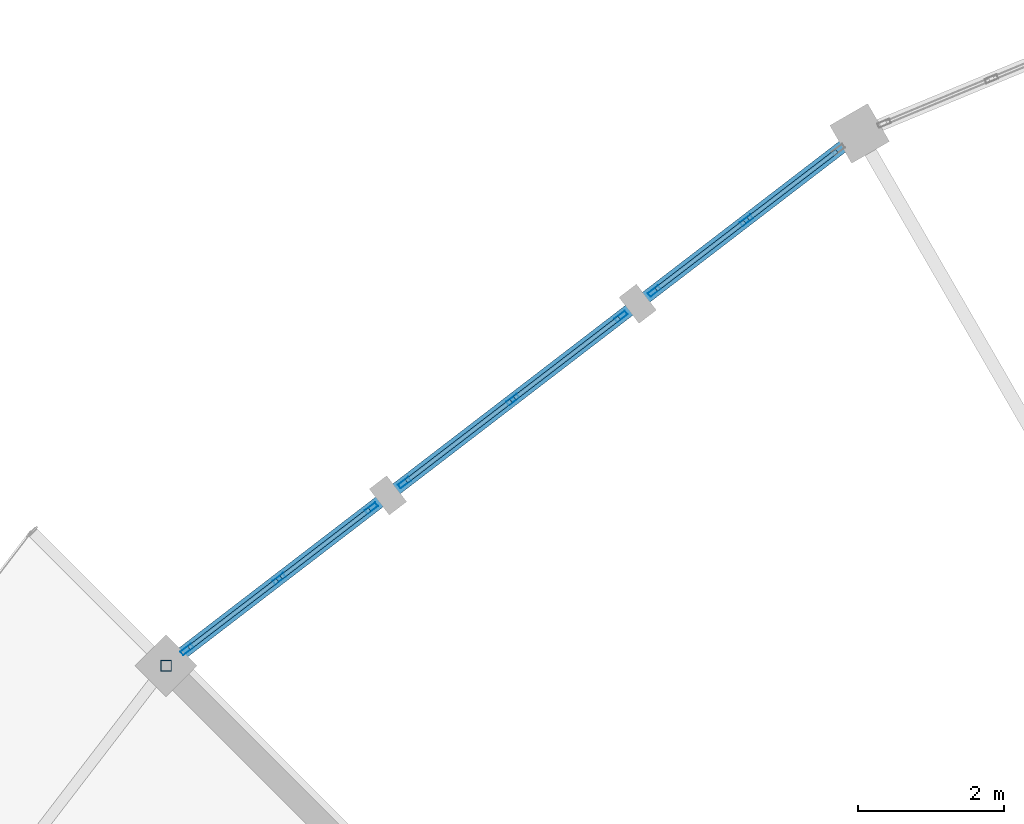
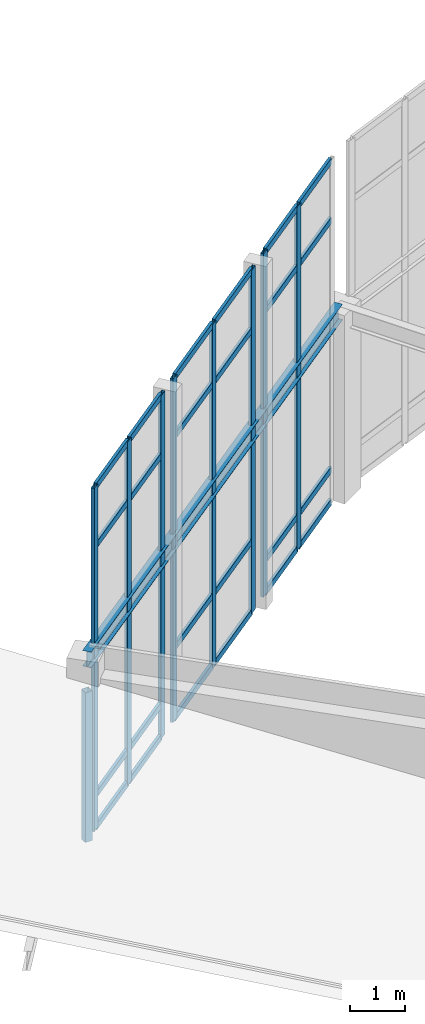
# One storey, part 43 of 93: 33 members, 1 beam, 3 elements without a shape of their own.
"""IFC4 building model written with IfcOpenShell, lengths in metres."""

from ifc_helpers import new_model, si_unit, direction, frame, origin, origin_2d, place, context, subcontext, project, spatial, hollow_rectangle, i_section, extrude, material, material_profile, profile_set, type_object, element, aggregate, save


model = new_model("IFC4")

# Units and contexts
model_context = context("Model", 3, precision=1e-05, world=origin(), true_north=direction((0.0, 1.0)))
body_context = subcontext(model_context, "Body", "Model", "MODEL_VIEW")
ifc_project = project(units=[si_unit("LENGTHUNIT", "METRE"), si_unit("AREAUNIT", "SQUARE_METRE"), si_unit("VOLUMEUNIT", "CUBIC_METRE"), si_unit("PLANEANGLEUNIT", "RADIAN"), si_unit("MASSUNIT", "GRAM", prefix="KILO")], contexts=[model_context])

# Site, building, storey
site_placement = place(None, origin())
site = spatial("IfcSite", under=ifc_project, at=site_placement, CompositionType="ELEMENT")
building_placement = place(site_placement, origin())
building = spatial("IfcBuilding", under=site, at=building_placement, Name="Vondelvale Polytechnic", CompositionType="ELEMENT")
storey_placement = place(building_placement, frame((0.0, 0.0, 18.0)))
storey = spatial("IfcBuildingStorey", under=building, at=storey_placement, Name="L04", CompositionType="ELEMENT", Elevation=18.0)

# Beam
ifc_material_1 = material(Name="Steel 300PLUS (fy = 300 MPa)", Category="steel")
ifc_material_profile_1 = material_profile(ifc_material_1, i_section(OverallWidth=0.1708984375, OverallDepth=0.35205078125, WebThickness=0.0068359375, FlangeThickness=0.009765625, FilletRadius=0.011474609375, at=origin_2d()), Name="360UB44.7")
ifc_profile_set_1 = profile_set([ifc_material_profile_1], Name="Steel 300PLUS (fy = 300 MPa)")
beam_type = type_object("IfcBeamType", Name="BM-UB360L", PredefinedType="BEAM", material=ifc_profile_set_1)
beam_placement = place(storey_placement, frame((79.0, 111.837158203125, 4.02392578125), z_axis=(-0.793349743808, -0.608766116008, 0.0), x_axis=(0.608766116008, -0.793349743808, 0.0)))
element("IfcBeam", 1, at=beam_placement, inside=storey, type_object=beam_type, Name="L04 RE B-24", PredefinedType="BEAM", context=body_context, shape_type="SweptSolid", body=[
    extrude(i_section(OverallWidth=0.1708984375, OverallDepth=0.35205078125, WebThickness=0.0068359375, FlangeThickness=0.009765625, FilletRadius=0.011474609375, at=origin_2d()), origin(), (0.0, 0.0, 1.0), 12.00830078125),
])

# Curtain wall, members
ifc_material_2 = material(Name="Glulam GL18 structural Tasmanian oak (fb = 42 MPa)", Category="wood")
curtain_wall_type = type_object("IfcCurtainWallType", Name="CW-RING-OUTER", PredefinedType="NOTDEFINED", material=ifc_material_2)
curtain_wall_1_placement = place(storey_placement, origin())
curtain_wall_1 = element("IfcCurtainWall", 2, at=curtain_wall_1_placement, inside=storey, type_object=curtain_wall_type, Name="L04 architectural curtain wall CW-04-207", PredefinedType="NOTDEFINED")
ifc_material_3 = material(Name="Anodised extruded aluminium 6063-T6", Category="aluminium")
ifc_material_profile_2 = material_profile(ifc_material_3, hollow_rectangle(XDim=0.06494140625, YDim=0.179931640625, WallThickness=0.00390625, at=origin_2d()), Name="CW-MUL-180x65")
ifc_profile_set_2 = profile_set([ifc_material_profile_2], Name="Anodised extruded aluminium 6063-T6")
member_type_1 = type_object("IfcMemberType", Name="CW-MUL-65x180", PredefinedType="MULLION", material=ifc_profile_set_2)
member_1_placement = place(storey_placement, frame((77.44482421875, 110.643798828125, 0.0), z_axis=(0.0, 0.0, 1.0), x_axis=(0.608786860133, -0.793333825656, 0.0)))
member_1 = element("IfcMember", 3, at=member_1_placement, type_object=member_type_1, Name="CW-04-207 mullion 2", PredefinedType="MULLION", context=body_context, shape_type="SweptSolid", body=[
    extrude(hollow_rectangle(XDim=0.06494140625, YDim=0.179931640625, WallThickness=0.00390625, at=origin_2d()), origin(), (0.0, 0.0, 1.0), 7.661376953125),
])
member_2_placement = place(storey_placement, frame((76.179443359375, 109.6728515625, 0.0), z_axis=(0.0, 0.0, 1.0), x_axis=(0.608786860133, -0.793333825656, 0.0)))
member_2 = element("IfcMember", 4, at=member_2_placement, type_object=member_type_1, Name="CW-04-207 mullion 3", PredefinedType="MULLION", context=body_context, shape_type="SweptSolid", body=[
    extrude(hollow_rectangle(XDim=0.06494140625, YDim=0.179931640625, WallThickness=0.00390625, at=origin_2d()), origin(), (0.0, 0.0, 1.0), 7.661376953125),
])

curtain_wall_2_placement = place(storey_placement, origin())
curtain_wall_2 = element("IfcCurtainWall", 5, at=curtain_wall_2_placement, inside=storey, type_object=curtain_wall_type, Name="L04 architectural curtain wall CW-04-208", PredefinedType="NOTDEFINED")
member_3_placement = place(storey_placement, frame((75.723388671875, 109.322998046875, 0.0), z_axis=(0.0, 0.0, 1.0), x_axis=(0.608771189063, -0.793345851043, 0.0)))
member_3 = element("IfcMember", 6, at=member_3_placement, type_object=member_type_1, Name="CW-04-208 mullion 1", PredefinedType="MULLION", context=body_context, shape_type="SweptSolid", body=[
    extrude(hollow_rectangle(XDim=0.06494140625, YDim=0.179931640625, WallThickness=0.00390625, at=origin_2d()), origin(), (0.0, 0.0, 1.0), 7.661376953125),
])
member_4_placement = place(storey_placement, frame((74.236572265625, 108.18212890625, 0.0), z_axis=(0.0, 0.0, 1.0), x_axis=(0.608771189063, -0.793345851043, 0.0)))
member_4 = element("IfcMember", 7, at=member_4_placement, type_object=member_type_1, Name="CW-04-208 mullion 2", PredefinedType="MULLION", context=body_context, shape_type="SweptSolid", body=[
    extrude(hollow_rectangle(XDim=0.06494140625, YDim=0.179931640625, WallThickness=0.00390625, at=origin_2d()), origin(), (0.0, 0.0, 1.0), 7.661376953125),
])
member_5_placement = place(storey_placement, frame((72.749755859375, 107.041259765625, 0.0), z_axis=(0.0, 0.0, 1.0), x_axis=(0.608771189063, -0.793345851043, 0.0)))
member_5 = element("IfcMember", 8, at=member_5_placement, type_object=member_type_1, Name="CW-04-208 mullion 3", PredefinedType="MULLION", context=body_context, shape_type="SweptSolid", body=[
    extrude(hollow_rectangle(XDim=0.06494140625, YDim=0.179931640625, WallThickness=0.00390625, at=origin_2d()), origin(), (0.0, 0.0, 1.0), 7.661376953125),
])

curtain_wall_3_placement = place(storey_placement, origin())
curtain_wall_3 = element("IfcCurtainWall", 9, at=curtain_wall_3_placement, inside=storey, type_object=curtain_wall_type, Name="L04 architectural curtain wall CW-04-209", PredefinedType="NOTDEFINED")
member_6_placement = place(storey_placement, frame((72.293701171875, 106.691162109375, 0.0), z_axis=(0.0, 0.0, 1.0), x_axis=(0.608786860133, -0.793333825656, 0.0)))
member_6 = element("IfcMember", 10, at=member_6_placement, type_object=member_type_1, Name="CW-04-209 mullion 1", PredefinedType="MULLION", context=body_context, shape_type="SweptSolid", body=[
    extrude(hollow_rectangle(XDim=0.06494140625, YDim=0.179931640625, WallThickness=0.00390625, at=origin_2d()), origin(), (0.0, 0.0, 1.0), 7.661376953125),
])
member_7_placement = place(storey_placement, frame((71.0283203125, 105.72021484375, 0.0), z_axis=(0.0, 0.0, 1.0), x_axis=(0.608786860133, -0.793333825656, 0.0)))
member_7 = element("IfcMember", 11, at=member_7_placement, type_object=member_type_1, Name="CW-04-209 mullion 2", PredefinedType="MULLION", context=body_context, shape_type="SweptSolid", body=[
    extrude(hollow_rectangle(XDim=0.06494140625, YDim=0.179931640625, WallThickness=0.00390625, at=origin_2d()), origin(), (0.0, 0.0, 1.0), 7.661376953125),
])
member_8_placement = place(storey_placement, frame((69.762939453125, 104.749267578125, 0.0), z_axis=(0.0, 0.0, 1.0), x_axis=(0.608786860133, -0.793333825656, 0.0)))
member_8 = element("IfcMember", 12, at=member_8_placement, type_object=member_type_1, Name="CW-04-209 mullion 3", PredefinedType="MULLION", context=body_context, shape_type="SweptSolid", body=[
    extrude(hollow_rectangle(XDim=0.06494140625, YDim=0.179931640625, WallThickness=0.00390625, at=origin_2d()), origin(), (0.0, 0.0, 1.0), 7.661376953125),
])

# Member
ifc_material_profile_3 = material_profile(ifc_material_3, hollow_rectangle(XDim=0.06005859375, YDim=0.139892578125, WallThickness=0.00341796875, at=origin_2d()), Name="CW-TRN-140x60")
ifc_profile_set_3 = profile_set([ifc_material_profile_3], Name="Anodised extruded aluminium 6063-T6")
member_type_2 = type_object("IfcMemberType", Name="CW-TRN-60x140", PredefinedType="USERDEFINED", material=ifc_profile_set_3)
member_9_placement = place(storey_placement, frame((78.684326171875, 111.59521484375, 0.030029296875), z_axis=(-0.7932286645, -0.608923875222, 0.0), x_axis=(0.608923875222, -0.7932286645, 0.0)))
member_9 = element("IfcMember", 13, at=member_9_placement, type_object=member_type_2, Name="CW-04-207 transom 1.1", ObjectType="TRANSOM", PredefinedType="USERDEFINED", context=body_context, shape_type="SweptSolid", body=[
    extrude(hollow_rectangle(XDim=0.06005859375, YDim=0.139892578125, WallThickness=0.00341796875, at=origin_2d()), origin(), (0.0, 0.0, 1.0), 1.530029296875),
])

member_10_placement = place(storey_placement, frame((78.684326171875, 111.59521484375, 0.75), z_axis=(-0.7932286645, -0.608923875222, 0.0), x_axis=(0.608923875222, -0.7932286645, 0.0)))
member_10 = element("IfcMember", 14, at=member_10_placement, type_object=member_type_2, Name="CW-04-207 transom 1.2", ObjectType="TRANSOM", PredefinedType="USERDEFINED", context=body_context, shape_type="SweptSolid", body=[
    extrude(hollow_rectangle(XDim=0.06005859375, YDim=0.139892578125, WallThickness=0.00341796875, at=origin_2d()), origin(), (0.0, 0.0, 1.0), 1.530029296875),
])

member_11_placement = place(storey_placement, frame((78.684326171875, 111.59521484375, 6.311279296875), z_axis=(-0.7932286645, -0.608923875222, 0.0), x_axis=(0.608923875222, -0.7932286645, 0.0)))
member_11 = element("IfcMember", 15, at=member_11_placement, type_object=member_type_2, Name="CW-04-207 transom 1.3", ObjectType="TRANSOM", PredefinedType="USERDEFINED", context=body_context, shape_type="SweptSolid", body=[
    extrude(hollow_rectangle(XDim=0.06005859375, YDim=0.139892578125, WallThickness=0.00341796875, at=origin_2d()), origin(), (0.0, 0.0, 1.0), 1.530029296875),
])

member_12_placement = place(storey_placement, frame((78.684326171875, 111.59521484375, 7.63134765625), z_axis=(-0.7932286645, -0.608923875222, 0.0), x_axis=(0.608923875222, -0.7932286645, 0.0)))
member_12 = element("IfcMember", 16, at=member_12_placement, type_object=member_type_2, Name="CW-04-207 transom 1.4", ObjectType="TRANSOM", PredefinedType="USERDEFINED", context=body_context, shape_type="SweptSolid", body=[
    extrude(hollow_rectangle(XDim=0.06005859375, YDim=0.139892578125, WallThickness=0.00341796875, at=origin_2d()), origin(), (0.0, 0.0, 1.0), 1.530029296875),
])

member_13_placement = place(storey_placement, frame((77.4189453125, 110.6240234375, 0.030029296875), z_axis=(-0.793305741078, -0.60882345649, 0.0), x_axis=(0.60882345649, -0.793305741078, 0.0)))
member_13 = element("IfcMember", 17, at=member_13_placement, type_object=member_type_2, Name="CW-04-207 transom 2.1", ObjectType="TRANSOM", PredefinedType="USERDEFINED", context=body_context, shape_type="SweptSolid", body=[
    extrude(hollow_rectangle(XDim=0.06005859375, YDim=0.139892578125, WallThickness=0.00341796875, at=origin_2d()), origin(), (0.0, 0.0, 1.0), 1.52978515625),
])

member_14_placement = place(storey_placement, frame((77.4189453125, 110.6240234375, 0.75), z_axis=(-0.793305741078, -0.60882345649, 0.0), x_axis=(0.60882345649, -0.793305741078, 0.0)))
member_14 = element("IfcMember", 18, at=member_14_placement, type_object=member_type_2, Name="CW-04-207 transom 2.2", ObjectType="TRANSOM", PredefinedType="USERDEFINED", context=body_context, shape_type="SweptSolid", body=[
    extrude(hollow_rectangle(XDim=0.06005859375, YDim=0.139892578125, WallThickness=0.00341796875, at=origin_2d()), origin(), (0.0, 0.0, 1.0), 1.52978515625),
])

member_15_placement = place(storey_placement, frame((77.4189453125, 110.6240234375, 6.311279296875), z_axis=(-0.793305741078, -0.60882345649, 0.0), x_axis=(0.60882345649, -0.793305741078, 0.0)))
member_15 = element("IfcMember", 19, at=member_15_placement, type_object=member_type_2, Name="CW-04-207 transom 2.3", ObjectType="TRANSOM", PredefinedType="USERDEFINED", context=body_context, shape_type="SweptSolid", body=[
    extrude(hollow_rectangle(XDim=0.06005859375, YDim=0.139892578125, WallThickness=0.00341796875, at=origin_2d()), origin(), (0.0, 0.0, 1.0), 1.52978515625),
])

member_16_placement = place(storey_placement, frame((77.4189453125, 110.6240234375, 7.63134765625), z_axis=(-0.793305741078, -0.60882345649, 0.0), x_axis=(0.60882345649, -0.793305741078, 0.0)))
member_16 = element("IfcMember", 20, at=member_16_placement, type_object=member_type_2, Name="CW-04-207 transom 2.4", ObjectType="TRANSOM", PredefinedType="USERDEFINED", context=body_context, shape_type="SweptSolid", body=[
    extrude(hollow_rectangle(XDim=0.06005859375, YDim=0.139892578125, WallThickness=0.00341796875, at=origin_2d()), origin(), (0.0, 0.0, 1.0), 1.52978515625),
])

aggregate(curtain_wall_1, [member_1, member_2, member_9, member_10, member_11, member_12, member_13, member_14, member_15, member_16])

member_17_placement = place(storey_placement, frame((75.697509765625, 109.30322265625, 0.030029296875), z_axis=(-0.793310842007, -0.608816809849, 0.0), x_axis=(0.608816809849, -0.793310842007, 0.0)))
member_17 = element("IfcMember", 21, at=member_17_placement, type_object=member_type_2, Name="CW-04-208 transom 1.1", ObjectType="TRANSOM", PredefinedType="USERDEFINED", context=body_context, shape_type="SweptSolid", body=[
    extrude(hollow_rectangle(XDim=0.06005859375, YDim=0.139892578125, WallThickness=0.00341796875, at=origin_2d()), origin(), (0.0, 0.0, 1.0), 1.808837890625),
])

member_18_placement = place(storey_placement, frame((75.697509765625, 109.30322265625, 1.60009765625), z_axis=(-0.793310842007, -0.608816809849, 0.0), x_axis=(0.608816809849, -0.793310842007, 0.0)))
member_18 = element("IfcMember", 22, at=member_18_placement, type_object=member_type_2, Name="CW-04-208 transom 1.2", ObjectType="TRANSOM", PredefinedType="USERDEFINED", context=body_context, shape_type="SweptSolid", body=[
    extrude(hollow_rectangle(XDim=0.06005859375, YDim=0.139892578125, WallThickness=0.00341796875, at=origin_2d()), origin(), (0.0, 0.0, 1.0), 1.808837890625),
])

member_19_placement = place(storey_placement, frame((75.697509765625, 109.30322265625, 6.311279296875), z_axis=(-0.793310842007, -0.608816809849, 0.0), x_axis=(0.608816809849, -0.793310842007, 0.0)))
member_19 = element("IfcMember", 23, at=member_19_placement, type_object=member_type_2, Name="CW-04-208 transom 1.3", ObjectType="TRANSOM", PredefinedType="USERDEFINED", context=body_context, shape_type="SweptSolid", body=[
    extrude(hollow_rectangle(XDim=0.06005859375, YDim=0.139892578125, WallThickness=0.00341796875, at=origin_2d()), origin(), (0.0, 0.0, 1.0), 1.808837890625),
])

member_20_placement = place(storey_placement, frame((75.697509765625, 109.30322265625, 7.63134765625), z_axis=(-0.793310842007, -0.608816809849, 0.0), x_axis=(0.608816809849, -0.793310842007, 0.0)))
member_20 = element("IfcMember", 24, at=member_20_placement, type_object=member_type_2, Name="CW-04-208 transom 1.4", ObjectType="TRANSOM", PredefinedType="USERDEFINED", context=body_context, shape_type="SweptSolid", body=[
    extrude(hollow_rectangle(XDim=0.06005859375, YDim=0.139892578125, WallThickness=0.00341796875, at=origin_2d()), origin(), (0.0, 0.0, 1.0), 1.808837890625),
])

member_21_placement = place(storey_placement, frame((74.210693359375, 108.162353515625, 0.030029296875), z_axis=(-0.793310842007, -0.608816809849, 0.0), x_axis=(0.608816809849, -0.793310842007, 0.0)))
member_21 = element("IfcMember", 25, at=member_21_placement, type_object=member_type_2, Name="CW-04-208 transom 2.1", ObjectType="TRANSOM", PredefinedType="USERDEFINED", context=body_context, shape_type="SweptSolid", body=[
    extrude(hollow_rectangle(XDim=0.06005859375, YDim=0.139892578125, WallThickness=0.00341796875, at=origin_2d()), origin(), (0.0, 0.0, 1.0), 1.808837890625),
])

member_22_placement = place(storey_placement, frame((74.210693359375, 108.162353515625, 1.60009765625), z_axis=(-0.793310842007, -0.608816809849, 0.0), x_axis=(0.608816809849, -0.793310842007, 0.0)))
member_22 = element("IfcMember", 26, at=member_22_placement, type_object=member_type_2, Name="CW-04-208 transom 2.2", ObjectType="TRANSOM", PredefinedType="USERDEFINED", context=body_context, shape_type="SweptSolid", body=[
    extrude(hollow_rectangle(XDim=0.06005859375, YDim=0.139892578125, WallThickness=0.00341796875, at=origin_2d()), origin(), (0.0, 0.0, 1.0), 1.808837890625),
])

member_23_placement = place(storey_placement, frame((74.210693359375, 108.162353515625, 6.311279296875), z_axis=(-0.793310842007, -0.608816809849, 0.0), x_axis=(0.608816809849, -0.793310842007, 0.0)))
member_23 = element("IfcMember", 27, at=member_23_placement, type_object=member_type_2, Name="CW-04-208 transom 2.3", ObjectType="TRANSOM", PredefinedType="USERDEFINED", context=body_context, shape_type="SweptSolid", body=[
    extrude(hollow_rectangle(XDim=0.06005859375, YDim=0.139892578125, WallThickness=0.00341796875, at=origin_2d()), origin(), (0.0, 0.0, 1.0), 1.808837890625),
])

member_24_placement = place(storey_placement, frame((74.210693359375, 108.162353515625, 7.63134765625), z_axis=(-0.793310842007, -0.608816809849, 0.0), x_axis=(0.608816809849, -0.793310842007, 0.0)))
member_24 = element("IfcMember", 28, at=member_24_placement, type_object=member_type_2, Name="CW-04-208 transom 2.4", ObjectType="TRANSOM", PredefinedType="USERDEFINED", context=body_context, shape_type="SweptSolid", body=[
    extrude(hollow_rectangle(XDim=0.06005859375, YDim=0.139892578125, WallThickness=0.00341796875, at=origin_2d()), origin(), (0.0, 0.0, 1.0), 1.808837890625),
])

aggregate(curtain_wall_2, [member_3, member_4, member_5, member_17, member_18, member_19, member_20, member_21, member_22, member_23, member_24])

member_25_placement = place(storey_placement, frame((72.267822265625, 106.67138671875, 0.030029296875), z_axis=(-0.793364883229, -0.608746385664, 0.0), x_axis=(0.608746385664, -0.793364883229, 0.0)))
member_25 = element("IfcMember", 29, at=member_25_placement, type_object=member_type_2, Name="CW-04-209 transom 1.1", ObjectType="TRANSOM", PredefinedType="USERDEFINED", context=body_context, shape_type="SweptSolid", body=[
    extrude(hollow_rectangle(XDim=0.06005859375, YDim=0.139892578125, WallThickness=0.00341796875, at=origin_2d()), origin(), (0.0, 0.0, 1.0), 1.530029296875),
])

member_26_placement = place(storey_placement, frame((72.267822265625, 106.67138671875, 0.75), z_axis=(-0.793364883229, -0.608746385664, 0.0), x_axis=(0.608746385664, -0.793364883229, 0.0)))
member_26 = element("IfcMember", 30, at=member_26_placement, type_object=member_type_2, Name="CW-04-209 transom 1.2", ObjectType="TRANSOM", PredefinedType="USERDEFINED", context=body_context, shape_type="SweptSolid", body=[
    extrude(hollow_rectangle(XDim=0.06005859375, YDim=0.139892578125, WallThickness=0.00341796875, at=origin_2d()), origin(), (0.0, 0.0, 1.0), 1.530029296875),
])

member_27_placement = place(storey_placement, frame((72.267822265625, 106.67138671875, 6.311279296875), z_axis=(-0.793364883229, -0.608746385664, 0.0), x_axis=(0.608746385664, -0.793364883229, 0.0)))
member_27 = element("IfcMember", 31, at=member_27_placement, type_object=member_type_2, Name="CW-04-209 transom 1.3", ObjectType="TRANSOM", PredefinedType="USERDEFINED", context=body_context, shape_type="SweptSolid", body=[
    extrude(hollow_rectangle(XDim=0.06005859375, YDim=0.139892578125, WallThickness=0.00341796875, at=origin_2d()), origin(), (0.0, 0.0, 1.0), 1.530029296875),
])

member_28_placement = place(storey_placement, frame((72.267822265625, 106.67138671875, 7.63134765625), z_axis=(-0.793364883229, -0.608746385664, 0.0), x_axis=(0.608746385664, -0.793364883229, 0.0)))
member_28 = element("IfcMember", 32, at=member_28_placement, type_object=member_type_2, Name="CW-04-209 transom 1.4", ObjectType="TRANSOM", PredefinedType="USERDEFINED", context=body_context, shape_type="SweptSolid", body=[
    extrude(hollow_rectangle(XDim=0.06005859375, YDim=0.139892578125, WallThickness=0.00341796875, at=origin_2d()), origin(), (0.0, 0.0, 1.0), 1.530029296875),
])

member_29_placement = place(storey_placement, frame((71.00244140625, 105.700439453125, 0.030029296875), z_axis=(-0.793364883229, -0.608746385664, 0.0), x_axis=(0.608746385664, -0.793364883229, 0.0)))
member_29 = element("IfcMember", 33, at=member_29_placement, type_object=member_type_2, Name="CW-04-209 transom 2.1", ObjectType="TRANSOM", PredefinedType="USERDEFINED", context=body_context, shape_type="SweptSolid", body=[
    extrude(hollow_rectangle(XDim=0.06005859375, YDim=0.139892578125, WallThickness=0.00341796875, at=origin_2d()), origin(), (0.0, 0.0, 1.0), 1.530029296875),
])

member_30_placement = place(storey_placement, frame((71.00244140625, 105.700439453125, 0.75), z_axis=(-0.793364883229, -0.608746385664, 0.0), x_axis=(0.608746385664, -0.793364883229, 0.0)))
member_30 = element("IfcMember", 34, at=member_30_placement, type_object=member_type_2, Name="CW-04-209 transom 2.2", ObjectType="TRANSOM", PredefinedType="USERDEFINED", context=body_context, shape_type="SweptSolid", body=[
    extrude(hollow_rectangle(XDim=0.06005859375, YDim=0.139892578125, WallThickness=0.00341796875, at=origin_2d()), origin(), (0.0, 0.0, 1.0), 1.530029296875),
])

member_31_placement = place(storey_placement, frame((71.00244140625, 105.700439453125, 6.311279296875), z_axis=(-0.793364883229, -0.608746385664, 0.0), x_axis=(0.608746385664, -0.793364883229, 0.0)))
member_31 = element("IfcMember", 35, at=member_31_placement, type_object=member_type_2, Name="CW-04-209 transom 2.3", ObjectType="TRANSOM", PredefinedType="USERDEFINED", context=body_context, shape_type="SweptSolid", body=[
    extrude(hollow_rectangle(XDim=0.06005859375, YDim=0.139892578125, WallThickness=0.00341796875, at=origin_2d()), origin(), (0.0, 0.0, 1.0), 1.530029296875),
])

member_32_placement = place(storey_placement, frame((71.00244140625, 105.700439453125, 7.63134765625), z_axis=(-0.793364883229, -0.608746385664, 0.0), x_axis=(0.608746385664, -0.793364883229, 0.0)))
member_32 = element("IfcMember", 36, at=member_32_placement, type_object=member_type_2, Name="CW-04-209 transom 2.4", ObjectType="TRANSOM", PredefinedType="USERDEFINED", context=body_context, shape_type="SweptSolid", body=[
    extrude(hollow_rectangle(XDim=0.06005859375, YDim=0.139892578125, WallThickness=0.00341796875, at=origin_2d()), origin(), (0.0, 0.0, 1.0), 1.530029296875),
])

aggregate(curtain_wall_3, [member_6, member_7, member_8, member_25, member_26, member_27, member_28, member_29, member_30, member_31, member_32])

ifc_material_4 = material(Name="Steel C350L0 (fy = 350 MPa)", Category="steel")
ifc_material_profile_4 = material_profile(ifc_material_4, hollow_rectangle(XDim=0.14990234375, YDim=0.14990234375, WallThickness=0.006103515625, at=origin_2d()), Name="150x150x6.0SHS")
ifc_profile_set_4 = profile_set([ifc_material_profile_4], Name="Steel C350L0 (fy = 350 MPa)")
member_type_3 = type_object("IfcMemberType", Name="ROOF TRUSS POST 150SHS", PredefinedType="POST", material=ifc_profile_set_4)
member_33_placement = place(storey_placement, frame((69.47314453125, 104.52685546875, 0.0), z_axis=(0.0, 0.0, 1.0), x_axis=(1.0, 0.0, 0.0)))
element("IfcMember", 37, at=member_33_placement, inside=storey, type_object=member_type_3, Name="Ring outer roof post 09", PredefinedType="POST", context=body_context, shape_type="SweptSolid", body=[
    extrude(hollow_rectangle(XDim=0.14990234375, YDim=0.14990234375, WallThickness=0.006103515625, at=origin_2d()), origin(), (0.0, 0.0, 1.0), 3.33984375),
])

save(model, "model.ifc")
